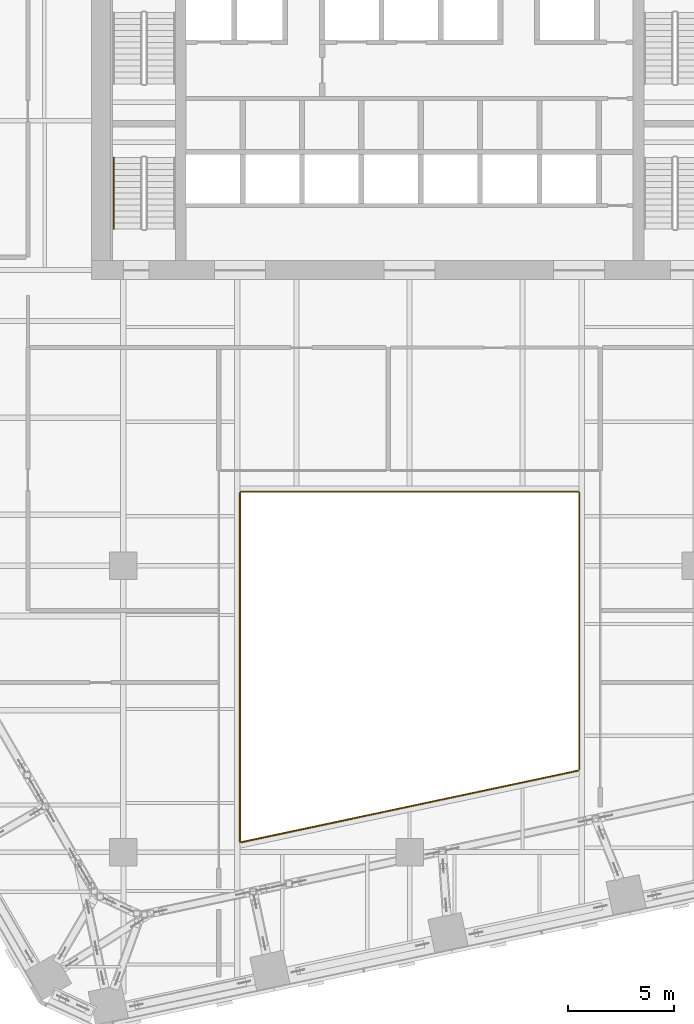
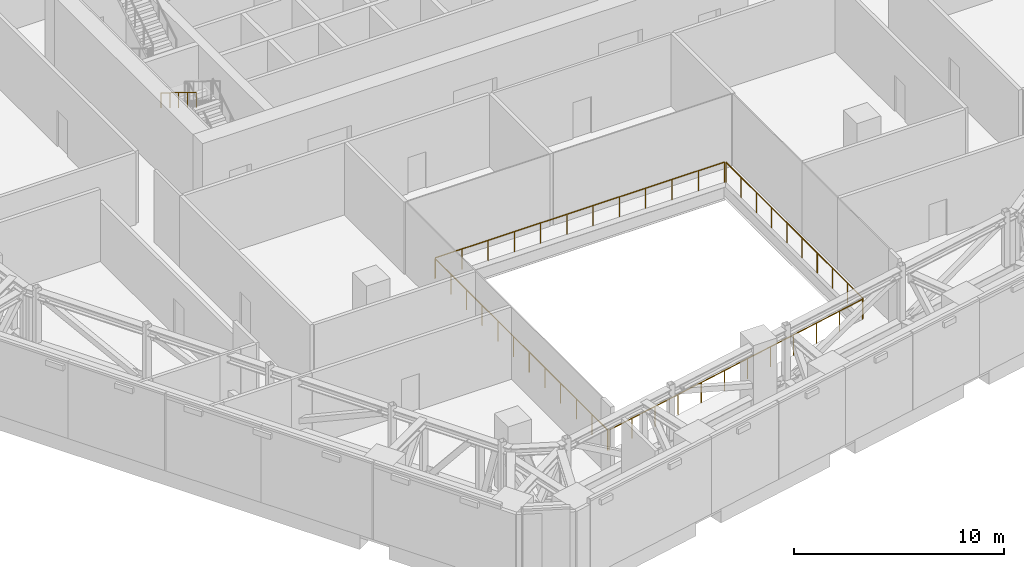
# One storey, part 35 of 36: 5 railings.
"""IFC4 building model written with IfcOpenShell, lengths in metres."""

from ifc_helpers import new_model, si_unit, direction, frame, origin, origin_2d, place, context, subcontext, project, spatial, circle, extrude, material, type_object, element, save


model = new_model("IFC4")

# Units and contexts
model_context = context("Model", 3, precision=1e-05, world=origin(), true_north=direction((0.0, 1.0)))
body_context = subcontext(model_context, "Body", "Model", "MODEL_VIEW")
ifc_project = project(units=[si_unit("LENGTHUNIT", "METRE"), si_unit("AREAUNIT", "SQUARE_METRE"), si_unit("VOLUMEUNIT", "CUBIC_METRE"), si_unit("PLANEANGLEUNIT", "RADIAN"), si_unit("MASSUNIT", "GRAM", prefix="KILO")], contexts=[model_context])

# Site, building, storey
site_placement = place(None, origin())
site = spatial("IfcSite", under=ifc_project, at=site_placement, CompositionType="ELEMENT")
building_placement = place(site_placement, origin())
building = spatial("IfcBuilding", under=site, at=building_placement, Name="Isthmus Gate Tower", CompositionType="ELEMENT")
storey_placement = place(building_placement, frame((0.0, 0.0, 117.14990234375)))
storey = spatial("IfcBuildingStorey", under=building, at=storey_placement, Name="L28", CompositionType="ELEMENT", Elevation=117.14990234375)

# Railings
ifc_material_1 = material(Name="Toughened laminated glass with stainless steel handrail", Category="steel")
railing_type_1 = type_object("IfcRailingType", Name="Atrium glass guard 1200", PredefinedType="GUARDRAIL", material=ifc_material_1)
railing_1_placement = place(storey_placement, frame((-7.951171875, -26.53369140625, 0.0)))
element("IfcRailing", 1, at=railing_1_placement, inside=storey, type_object=railing_type_1, Name="L28 atrium glass guard 1", PredefinedType="GUARDRAIL", context=body_context, shape_type="SweptSolid", body=[
    extrude(circle(Radius=0.030029296875, at=origin_2d()), frame((0.0, 0.0, 1.169921875), z_axis=(0.978147857881, 0.20791048103, 0.0), x_axis=(-0.20791048103, 0.978147857881, 0.0)), (0.0, 0.0, 1.0), 16.257568359375),
    extrude(circle(Radius=0.02490234375, at=origin_2d()), origin(), (0.0, 0.0, 1.0), 1.139892578125),
    extrude(circle(Radius=0.02490234375, at=origin_2d()), frame((1.445556640625, 0.307373046875, 0.0)), (0.0, 0.0, 1.0), 1.139892578125),
    extrude(circle(Radius=0.02490234375, at=origin_2d()), frame((2.891357421875, 0.614501953125, 0.0)), (0.0, 0.0, 1.0), 1.139892578125),
    extrude(circle(Radius=0.02490234375, at=origin_2d()), frame((4.3369140625, 0.921875, 0.0)), (0.0, 0.0, 1.0), 1.139892578125),
    extrude(circle(Radius=0.02490234375, at=origin_2d()), frame((5.78271484375, 1.229248046875, 0.0)), (0.0, 0.0, 1.0), 1.139892578125),
    extrude(circle(Radius=0.02490234375, at=origin_2d()), frame((7.228271484375, 1.536376953125, 0.0)), (0.0, 0.0, 1.0), 1.139892578125),
    extrude(circle(Radius=0.02490234375, at=origin_2d()), frame((8.674072265625, 1.84375, 0.0)), (0.0, 0.0, 1.0), 1.139892578125),
    extrude(circle(Radius=0.02490234375, at=origin_2d()), frame((10.11962890625, 2.15087890625, 0.0)), (0.0, 0.0, 1.0), 1.139892578125),
    extrude(circle(Radius=0.02490234375, at=origin_2d()), frame((11.5654296875, 2.458251953125, 0.0)), (0.0, 0.0, 1.0), 1.139892578125),
    extrude(circle(Radius=0.02490234375, at=origin_2d()), frame((13.010986328125, 2.765625, 0.0)), (0.0, 0.0, 1.0), 1.139892578125),
    extrude(circle(Radius=0.02490234375, at=origin_2d()), frame((14.456787109375, 3.07275390625, 0.0)), (0.0, 0.0, 1.0), 1.139892578125),
    extrude(circle(Radius=0.02490234375, at=origin_2d()), frame((15.90234375, 3.380126953125, 0.0)), (0.0, 0.0, 1.0), 1.139892578125),
])
railing_2_placement = place(storey_placement, frame((8.0, -23.09326171875, 0.0)))
element("IfcRailing", 2, at=railing_2_placement, inside=storey, type_object=railing_type_1, Name="L28 atrium glass guard 2", PredefinedType="GUARDRAIL", context=body_context, shape_type="SweptSolid", body=[
    extrude(circle(Radius=0.030029296875, at=origin_2d()), frame((0.0, 0.0, 1.169921875), z_axis=(0.0, 1.0, 0.0), x_axis=(-1.0, 0.0, 0.0)), (0.0, 0.0, 1.0), 13.043212890625),
    extrude(circle(Radius=0.02490234375, at=origin_2d()), origin(), (0.0, 0.0, 1.0), 1.139892578125),
    extrude(circle(Radius=0.02490234375, at=origin_2d()), frame((0.0, 1.44921875, 0.0)), (0.0, 0.0, 1.0), 1.139892578125),
    extrude(circle(Radius=0.02490234375, at=origin_2d()), frame((0.0, 2.8984375, 0.0)), (0.0, 0.0, 1.0), 1.139892578125),
    extrude(circle(Radius=0.02490234375, at=origin_2d()), frame((0.0, 4.34765625, 0.0)), (0.0, 0.0, 1.0), 1.139892578125),
    extrude(circle(Radius=0.02490234375, at=origin_2d()), frame((0.0, 5.796875, 0.0)), (0.0, 0.0, 1.0), 1.139892578125),
    extrude(circle(Radius=0.02490234375, at=origin_2d()), frame((0.0, 7.246337890625, 0.0)), (0.0, 0.0, 1.0), 1.139892578125),
    extrude(circle(Radius=0.02490234375, at=origin_2d()), frame((0.0, 8.695556640625, 0.0)), (0.0, 0.0, 1.0), 1.139892578125),
    extrude(circle(Radius=0.02490234375, at=origin_2d()), frame((0.0, 10.144775390625, 0.0)), (0.0, 0.0, 1.0), 1.139892578125),
    extrude(circle(Radius=0.02490234375, at=origin_2d()), frame((0.0, 11.593994140625, 0.0)), (0.0, 0.0, 1.0), 1.139892578125),
    extrude(circle(Radius=0.02490234375, at=origin_2d()), frame((0.0, 13.043212890625, 0.0)), (0.0, 0.0, 1.0), 1.139892578125),
])
railing_3_placement = place(storey_placement, frame((7.949951171875, -10.0, 0.0)))
element("IfcRailing", 3, at=railing_3_placement, inside=storey, type_object=railing_type_1, Name="L28 atrium glass guard 3", PredefinedType="GUARDRAIL", context=body_context, shape_type="SweptSolid", body=[
    extrude(circle(Radius=0.030029296875, at=origin_2d()), frame((0.0, 0.0, 1.169921875), z_axis=(-1.0, 0.0, 0.0), x_axis=(0.0, -1.0, 0.0)), (0.0, 0.0, 1.0), 15.89990234375),
    extrude(circle(Radius=0.02490234375, at=origin_2d()), origin(), (0.0, 0.0, 1.0), 1.139892578125),
    extrude(circle(Radius=0.02490234375, at=origin_2d()), frame((-1.445556640625, 0.0, 0.0)), (0.0, 0.0, 1.0), 1.139892578125),
    extrude(circle(Radius=0.02490234375, at=origin_2d()), frame((-2.890869140625, 0.0, 0.0)), (0.0, 0.0, 1.0), 1.139892578125),
    extrude(circle(Radius=0.02490234375, at=origin_2d()), frame((-4.33642578125, 0.0, 0.0)), (0.0, 0.0, 1.0), 1.139892578125),
    extrude(circle(Radius=0.02490234375, at=origin_2d()), frame((-5.78173828125, 0.0, 0.0)), (0.0, 0.0, 1.0), 1.139892578125),
    extrude(circle(Radius=0.02490234375, at=origin_2d()), frame((-7.227294921875, 0.0, 0.0)), (0.0, 0.0, 1.0), 1.139892578125),
    extrude(circle(Radius=0.02490234375, at=origin_2d()), frame((-8.672607421875, 0.0, 0.0)), (0.0, 0.0, 1.0), 1.139892578125),
    extrude(circle(Radius=0.02490234375, at=origin_2d()), frame((-10.1181640625, 0.0, 0.0)), (0.0, 0.0, 1.0), 1.139892578125),
    extrude(circle(Radius=0.02490234375, at=origin_2d()), frame((-11.5634765625, 0.0, 0.0)), (0.0, 0.0, 1.0), 1.139892578125),
    extrude(circle(Radius=0.02490234375, at=origin_2d()), frame((-13.009033203125, 0.0, 0.0)), (0.0, 0.0, 1.0), 1.139892578125),
    extrude(circle(Radius=0.02490234375, at=origin_2d()), frame((-14.454345703125, 0.0, 0.0)), (0.0, 0.0, 1.0), 1.139892578125),
    extrude(circle(Radius=0.02490234375, at=origin_2d()), frame((-15.89990234375, 0.0, 0.0)), (0.0, 0.0, 1.0), 1.139892578125),
])
railing_4_placement = place(storey_placement, frame((-8.0, -10.050048828125, 0.0)))
element("IfcRailing", 4, at=railing_4_placement, inside=storey, type_object=railing_type_1, Name="L28 atrium glass guard 4", PredefinedType="GUARDRAIL", context=body_context, shape_type="SweptSolid", body=[
    extrude(circle(Radius=0.030029296875, at=origin_2d()), frame((0.0, 0.0, 1.169921875), z_axis=(0.0, -1.0, 0.0), x_axis=(1.0, 0.0, 0.0)), (0.0, 0.0, 1.0), 16.444091796875),
    extrude(circle(Radius=0.02490234375, at=origin_2d()), origin(), (0.0, 0.0, 1.0), 1.139892578125),
    extrude(circle(Radius=0.02490234375, at=origin_2d()), frame((0.0, -1.494873046875, 0.0)), (0.0, 0.0, 1.0), 1.139892578125),
    extrude(circle(Radius=0.02490234375, at=origin_2d()), frame((0.0, -2.98974609375, 0.0)), (0.0, 0.0, 1.0), 1.139892578125),
    extrude(circle(Radius=0.02490234375, at=origin_2d()), frame((0.0, -4.48486328125, 0.0)), (0.0, 0.0, 1.0), 1.139892578125),
    extrude(circle(Radius=0.02490234375, at=origin_2d()), frame((0.0, -5.979736328125, 0.0)), (0.0, 0.0, 1.0), 1.139892578125),
    extrude(circle(Radius=0.02490234375, at=origin_2d()), frame((0.0, -7.474609375, 0.0)), (0.0, 0.0, 1.0), 1.139892578125),
    extrude(circle(Radius=0.02490234375, at=origin_2d()), frame((0.0, -8.969482421875, 0.0)), (0.0, 0.0, 1.0), 1.139892578125),
    extrude(circle(Radius=0.02490234375, at=origin_2d()), frame((0.0, -10.46435546875, 0.0)), (0.0, 0.0, 1.0), 1.139892578125),
    extrude(circle(Radius=0.02490234375, at=origin_2d()), frame((0.0, -11.959228515625, 0.0)), (0.0, 0.0, 1.0), 1.139892578125),
    extrude(circle(Radius=0.02490234375, at=origin_2d()), frame((0.0, -13.454345703125, 0.0)), (0.0, 0.0, 1.0), 1.139892578125),
    extrude(circle(Radius=0.02490234375, at=origin_2d()), frame((0.0, -14.94921875, 0.0)), (0.0, 0.0, 1.0), 1.139892578125),
    extrude(circle(Radius=0.02490234375, at=origin_2d()), frame((0.0, -16.444091796875, 0.0)), (0.0, 0.0, 1.0), 1.139892578125),
])
ifc_material_2 = material(Name="Stainless steel handrail", Category="steel")
railing_type_2 = type_object("IfcRailingType", Name="STAIR HANDRAIL 900", PredefinedType="HANDRAIL", material=ifc_material_2)
railing_5_placement = place(storey_placement, frame((-13.949951171875, 5.760009765625, 2.423095703125)))
element("IfcRailing", 5, at=railing_5_placement, inside=storey, type_object=railing_type_2, Name="L28 ST7 stair handrail 2", PredefinedType="HANDRAIL", context=body_context, shape_type="SweptSolid", body=[
    extrude(circle(Radius=0.02392578125, at=origin_2d()), frame((0.0, 0.0, 0.8759765625), z_axis=(0.0, -0.850623216509, 0.525775754039), x_axis=(1.0, 0.0, 0.0)), (0.0, 0.0, 1.0), 3.9501953125),
    extrude(circle(Radius=0.02099609375, at=origin_2d()), origin(), (0.0, 0.0, 1.0), 0.851806640625),
    extrude(circle(Radius=0.02099609375, at=origin_2d()), frame((0.0, -0.840087890625, 0.519287109375)), (0.0, 0.0, 1.0), 0.851806640625),
    extrude(circle(Radius=0.02099609375, at=origin_2d()), frame((0.0, -1.68017578125, 1.03857421875)), (0.0, 0.0, 1.0), 0.851806640625),
    extrude(circle(Radius=0.02099609375, at=origin_2d()), frame((0.0, -2.52001953125, 1.5576171875)), (0.0, 0.0, 1.0), 0.851806640625),
    extrude(circle(Radius=0.02099609375, at=origin_2d()), frame((0.0, -3.360107421875, 2.076904296875)), (0.0, 0.0, 1.0), 0.851806640625),
])

save(model, "model.ifc")
